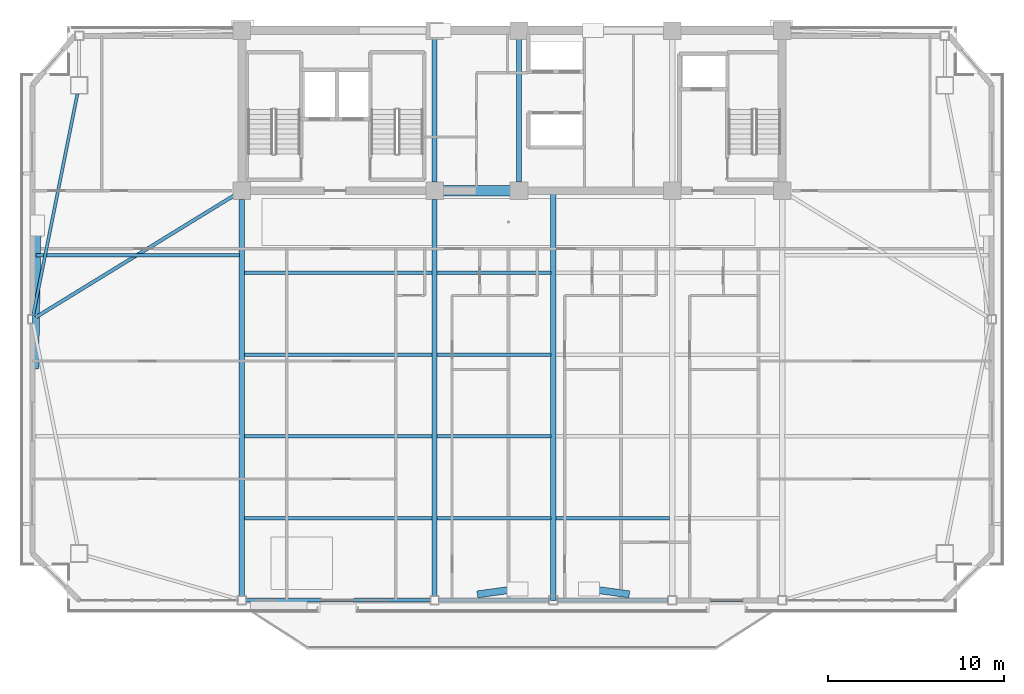
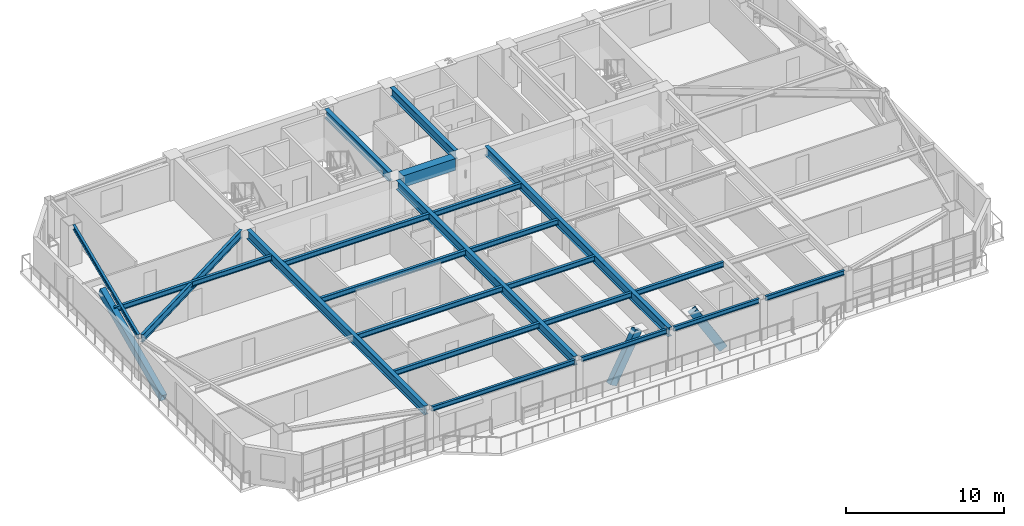
# One storey, part 3 of 19: 22 beams, 3 members.
"""IFC4 building model written with IfcOpenShell, lengths in metres."""

from ifc_helpers import new_model, si_unit, direction, frame, origin, origin_2d, place, context, subcontext, project, spatial, rectangle, hollow_rectangle, i_section, extrude, source, transform, mapped, material, material_profile, profile_set, type_object, element, save


model = new_model("IFC4")

# Units and contexts
model_context = context("Model", 3, precision=1e-05, world=origin(), true_north=direction((0.0, 1.0)))
body_context = subcontext(model_context, "Body", "Model", "MODEL_VIEW")
ifc_project = project(units=[si_unit("LENGTHUNIT", "METRE"), si_unit("AREAUNIT", "SQUARE_METRE"), si_unit("VOLUMEUNIT", "CUBIC_METRE"), si_unit("PLANEANGLEUNIT", "RADIAN"), si_unit("MASSUNIT", "GRAM", prefix="KILO")], contexts=[model_context])

# Site, building, storey
site_placement = place(None, origin())
site = spatial("IfcSite", under=ifc_project, at=site_placement, CompositionType="ELEMENT")
building_placement = place(site_placement, origin())
building = spatial("IfcBuilding", under=site, at=building_placement, Name="Giltprow Tower", CompositionType="ELEMENT")
storey_placement = place(building_placement, frame((0.0, 0.0, 241.699951171875)))
storey = spatial("IfcBuildingStorey", under=building, at=storey_placement, Name="L61", CompositionType="ELEMENT", Elevation=241.699951171875)

# Beams
ifc_material_1 = material(Name="Concrete C50", Category="concrete")
ifc_material_profile_1 = material_profile(ifc_material_1, rectangle(XDim=0.60009765625, YDim=0.89990234375, at=origin_2d()), Name="RC 900x600")
ifc_profile_set_1 = profile_set([ifc_material_profile_1], Name="Concrete C50")
beam_type_1 = type_object("IfcBeamType", Name="BM-CPL-RC900", PredefinedType="LINTEL", material=ifc_profile_set_1)
shared_shape_1 = source(origin(), body_context, "Body", "SweptSolid", [
    extrude(rectangle(XDim=0.60009765625, YDim=0.89990234375, at=origin_2d()), origin(), (0.0, 0.0, 1.0), 3.830078125),
])
beam_1_placement = place(storey_placement, frame((31.284912109375, 37.449951171875, 2.735107421875), z_axis=(1.0, 0.0, 0.0), x_axis=(0.0, 1.0, 0.0)))
element("IfcBeam", 1, at=beam_1_placement, inside=storey, type_object=beam_type_1, Name="L61 Core Coupling Beam CB-1", PredefinedType="LINTEL", context=body_context, shape_type="MappedRepresentation", body=[
    mapped(shared_shape_1, transform((0.0, 0.0, 0.0), x_axis=(1.0, 0.0, 0.0), y_axis=(0.0, 1.0, 0.0), z_axis=(0.0, 0.0, 1.0), scale=1.0)),
])
ifc_material_2 = material(Name="Structural steel Q355B", Category="steel")
ifc_material_profile_2 = material_profile(ifc_material_2, i_section(OverallWidth=0.300048828125, OverallDepth=0.699951171875, WebThickness=0.012939453125, FlangeThickness=0.02392578125, at=origin_2d()), Name="HN 700x300x13x24")
ifc_profile_set_2 = profile_set([ifc_material_profile_2], Name="Structural steel Q355B")
beam_type_2 = type_object("IfcBeamType", Name="BM-GIRD-HN700", PredefinedType="BEAM", material=ifc_profile_set_2)
shared_shape_2 = source(origin(), body_context, "Body", "SweptSolid", [
    extrude(i_section(OverallWidth=0.300048828125, OverallDepth=0.699951171875, WebThickness=0.012939453125, FlangeThickness=0.02392578125, at=origin_2d()), origin(), (0.0, 0.0, 1.0), 8.1298828125),
])
for number, where, z_axis, x_axis, name in (
    (2, (30.800048828125, 37.93505859375, 2.8349609375), (0.0, 1.0, 0.0), (-1.0, 0.0, 0.0), "L61 Core Tie Girder M1"),
    (3, (35.60009765625, 37.93505859375, 2.8349609375), (0.0, 1.0, 0.0), (-1.0, 0.0, 0.0), "L61 Core Tie Girder M2"),
):
    element("IfcBeam", number, at=place(storey_placement, frame(where, z_axis=z_axis, x_axis=x_axis)), inside=storey, type_object=beam_type_2, Name=name, PredefinedType="BEAM", context=body_context, shape_type="MappedRepresentation", body=[
        mapped(shared_shape_2, transform((0.0, 0.0, 0.0), x_axis=(1.0, 0.0, 0.0), y_axis=(0.0, 1.0, 0.0), z_axis=(0.0, 0.0, 1.0), scale=1.0)),
    ])
ifc_material_profile_3 = material_profile(ifc_material_2, i_section(OverallWidth=0.199951171875, OverallDepth=0.39990234375, WebThickness=0.008056640625, FlangeThickness=0.012939453125, at=origin_2d()), Name="HN 400x200x8x13")
ifc_profile_set_3 = profile_set([ifc_material_profile_3], Name="Structural steel Q355B")
beam_type_3 = type_object("IfcBeamType", Name="BM-JOIST-HN400", PredefinedType="JOIST", material=ifc_profile_set_3)
shared_shape_3 = source(origin(), body_context, "Body", "SweptSolid", [
    extrude(i_section(OverallWidth=0.199951171875, OverallDepth=0.39990234375, WebThickness=0.008056640625, FlangeThickness=0.012939453125, at=origin_2d()), origin(), (0.0, 0.0, 1.0), 10.659912109375),
])
for number, where, z_axis, x_axis, name in (
    (4, (19.9951171875, 18.8359375, 2.985107421875), (1.0, 0.0, 0.0), (0.0, 1.0, 0.0), "L61 Composite Floor Joist 1-1"),
    (5, (19.9951171875, 23.489013671875, 2.985107421875), (1.0, 0.0, 0.0), (0.0, 1.0, 0.0), "L61 Composite Floor Joist 2-1"),
    (6, (19.9951171875, 28.14306640625, 2.985107421875), (1.0, 0.0, 0.0), (0.0, 1.0, 0.0), "L61 Composite Floor Joist 3-1"),
    (7, (19.9951171875, 32.7958984375, 2.985107421875), (1.0, 0.0, 0.0), (0.0, 1.0, 0.0), "L61 Composite Floor Joist 4-1"),
):
    element("IfcBeam", number, at=place(storey_placement, frame(where, z_axis=z_axis, x_axis=x_axis)), inside=storey, type_object=beam_type_3, Name=name, PredefinedType="JOIST", context=body_context, shape_type="MappedRepresentation", body=[
        mapped(shared_shape_3, transform((0.0, 0.0, 0.0), x_axis=(1.0, 0.0, 0.0), y_axis=(0.0, 1.0, 0.0), z_axis=(0.0, 0.0, 1.0), scale=1.0)),
    ])
shared_shape_4 = source(origin(), body_context, "Body", "SweptSolid", [
    extrude(i_section(OverallWidth=0.199951171875, OverallDepth=0.39990234375, WebThickness=0.008056640625, FlangeThickness=0.012939453125, at=origin_2d()), origin(), (0.0, 0.0, 1.0), 6.4599609375),
])
for number, where, z_axis, x_axis, name in (
    (8, (30.945068359375, 18.8359375, 2.985107421875), (1.0, 0.0, 0.0), (0.0, 1.0, 0.0), "L61 Composite Floor Joist 1-2"),
    (9, (37.695068359375, 18.8359375, 2.985107421875), (1.0, 0.0, 0.0), (0.0, 1.0, 0.0), "L61 Composite Floor Joist 1-3"),
    (10, (30.945068359375, 23.489013671875, 2.985107421875), (1.0, 0.0, 0.0), (0.0, 1.0, 0.0), "L61 Composite Floor Joist 2-2"),
    (11, (30.945068359375, 28.14306640625, 2.985107421875), (1.0, 0.0, 0.0), (0.0, 1.0, 0.0), "L61 Composite Floor Joist 3-2"),
    (12, (30.945068359375, 32.7958984375, 2.985107421875), (1.0, 0.0, 0.0), (0.0, 1.0, 0.0), "L61 Composite Floor Joist 4-2"),
):
    element("IfcBeam", number, at=place(storey_placement, frame(where, z_axis=z_axis, x_axis=x_axis)), inside=storey, type_object=beam_type_3, Name=name, PredefinedType="JOIST", context=body_context, shape_type="MappedRepresentation", body=[
        mapped(shared_shape_4, transform((0.0, 0.0, 0.0), x_axis=(1.0, 0.0, 0.0), y_axis=(0.0, 1.0, 0.0), z_axis=(0.0, 0.0, 1.0), scale=1.0)),
    ])
shared_shape_5 = source(origin(), body_context, "Body", "SweptSolid", [
    extrude(i_section(OverallWidth=0.199951171875, OverallDepth=0.39990234375, WebThickness=0.008056640625, FlangeThickness=0.012939453125, at=origin_2d()), origin(), (0.0, 0.0, 1.0), 11.537109375),
])
beam_2_placement = place(storey_placement, frame((8.16796875, 33.7958984375, 2.985107421875), z_axis=(1.0, 0.0, 0.0), x_axis=(0.0, 1.0, 0.0)))
element("IfcBeam", 13, at=beam_2_placement, inside=storey, type_object=beam_type_3, Name="L61 West Wing Floor Joist 2", PredefinedType="JOIST", context=body_context, shape_type="MappedRepresentation", body=[
    mapped(shared_shape_5, transform((0.0, 0.0, 0.0), x_axis=(1.0, 0.0, 0.0), y_axis=(0.0, 1.0, 0.0), z_axis=(0.0, 0.0, 1.0), scale=1.0)),
])
ifc_material_profile_4 = material_profile(ifc_material_2, i_section(OverallWidth=0.175048828125, OverallDepth=0.35009765625, WebThickness=0.007080078125, FlangeThickness=0.010986328125, at=origin_2d()), Name="HN 350x175x7x11")
ifc_profile_set_4 = profile_set([ifc_material_profile_4], Name="Structural steel Q355B")
beam_type_4 = type_object("IfcBeamType", Name="BM-SPAN-HN350", PredefinedType="SPANDREL", material=ifc_profile_set_4)
shared_shape_6 = source(origin(), body_context, "Body", "SweptSolid", [
    extrude(i_section(OverallWidth=0.175048828125, OverallDepth=0.35009765625, WebThickness=0.007080078125, FlangeThickness=0.010986328125, at=origin_2d()), origin(), (0.0, 0.0, 1.0), 10.47998046875),
])
beam_3_placement = place(storey_placement, frame((20.0849609375, 14.181884765625, 3.010009765625), z_axis=(1.0, 0.0, 0.0), x_axis=(0.0, 1.0, 0.0)))
element("IfcBeam", 14, at=beam_3_placement, inside=storey, type_object=beam_type_4, Name="L61 Perimeter Spandrel Beam S1-S2", PredefinedType="SPANDREL", context=body_context, shape_type="MappedRepresentation", body=[
    mapped(shared_shape_6, transform((0.0, 0.0, 0.0), x_axis=(1.0, 0.0, 0.0), y_axis=(0.0, 1.0, 0.0), z_axis=(0.0, 0.0, 1.0), scale=1.0)),
])
shared_shape_7 = source(origin(), body_context, "Body", "SweptSolid", [
    extrude(i_section(OverallWidth=0.175048828125, OverallDepth=0.35009765625, WebThickness=0.007080078125, FlangeThickness=0.010986328125, at=origin_2d()), origin(), (0.0, 0.0, 1.0), 6.280029296875),
])
for number, where, z_axis, x_axis, name in (
    (15, (31.034912109375, 14.181884765625, 3.010009765625), (1.0, 0.0, 0.0), (0.0, 1.0, 0.0), "L61 Perimeter Spandrel Beam S2-S_MID"),
    (16, (37.784912109375, 14.181884765625, 3.010009765625), (1.0, 0.0, 0.0), (0.0, 1.0, 0.0), "L61 Perimeter Spandrel Beam S_MID-S3"),
):
    element("IfcBeam", number, at=place(storey_placement, frame(where, z_axis=z_axis, x_axis=x_axis)), inside=storey, type_object=beam_type_4, Name=name, PredefinedType="SPANDREL", context=body_context, shape_type="MappedRepresentation", body=[
        mapped(shared_shape_7, transform((0.0, 0.0, 0.0), x_axis=(1.0, 0.0, 0.0), y_axis=(0.0, 1.0, 0.0), z_axis=(0.0, 0.0, 1.0), scale=1.0)),
    ])
shared_shape_8 = source(origin(), body_context, "Body", "SweptSolid", [
    extrude(i_section(OverallWidth=0.175048828125, OverallDepth=0.35009765625, WebThickness=0.007080078125, FlangeThickness=0.010986328125, at=origin_2d()), origin(), (0.0, 0.0, 1.0), 5.780029296875),
])
beam_4_placement = place(storey_placement, frame((44.534912109375, 14.181884765625, 3.010009765625), z_axis=(1.0, 0.0, 0.0), x_axis=(0.0, 1.0, 0.0)))
element("IfcBeam", 17, at=beam_4_placement, inside=storey, type_object=beam_type_4, Name="L61 Perimeter Spandrel Beam S3-S4", PredefinedType="SPANDREL", context=body_context, shape_type="MappedRepresentation", body=[
    mapped(shared_shape_8, transform((0.0, 0.0, 0.0), x_axis=(1.0, 0.0, 0.0), y_axis=(0.0, 1.0, 0.0), z_axis=(0.0, 0.0, 1.0), scale=1.0)),
])
shared_shape_9 = source(origin(), body_context, "Body", "SweptSolid", [
    extrude(i_section(OverallWidth=0.175048828125, OverallDepth=0.35009765625, WebThickness=0.007080078125, FlangeThickness=0.010986328125, at=origin_2d()), origin(), (0.0, 0.0, 1.0), 12.841552734375),
])
beam_5_placement = place(storey_placement, frame((10.513916015625, 42.962890625, 3.010009765625), z_axis=(-0.196240441892, -0.980555806146, 0.0), x_axis=(0.980555806146, -0.196240441892, 0.0)))
element("IfcBeam", 18, at=beam_5_placement, inside=storey, type_object=beam_type_4, Name="L61 Perimeter Spandrel Beam MC_NW-W_MID", PredefinedType="SPANDREL", context=body_context, shape_type="MappedRepresentation", body=[
    mapped(shared_shape_9, transform((0.0, 0.0, 0.0), x_axis=(1.0, 0.0, 0.0), y_axis=(0.0, 1.0, 0.0), z_axis=(0.0, 0.0, 1.0), scale=1.0)),
])
ifc_material_profile_5 = material_profile(ifc_material_2, i_section(OverallWidth=0.199951171875, OverallDepth=0.60009765625, WebThickness=0.010986328125, FlangeThickness=0.01708984375, at=origin_2d()), Name="HN 600x200x11x17")
ifc_profile_set_5 = profile_set([ifc_material_profile_5], Name="Structural steel Q355B")
beam_type_5 = type_object("IfcBeamType", Name="BM-GIRD-HN600", PredefinedType="BEAM", material=ifc_profile_set_5)
shared_shape_10 = source(origin(), body_context, "Body", "SweptSolid", [
    extrude(i_section(OverallWidth=0.199951171875, OverallDepth=0.60009765625, WebThickness=0.010986328125, FlangeThickness=0.01708984375, at=origin_2d()), origin(), (0.0, 0.0, 1.0), 13.24755859375),
])
beam_6_placement = place(storey_placement, frame((8.14794921875, 30.263916015625, 2.885009765625), z_axis=(0.852162863713, 0.523276651217, 0.0), x_axis=(-0.523276651217, 0.852162863713, 0.0)))
element("IfcBeam", 19, at=beam_6_placement, inside=storey, type_object=beam_type_5, Name="L61 West Wing Primary Girder", PredefinedType="BEAM", context=body_context, shape_type="MappedRepresentation", body=[
    mapped(shared_shape_10, transform((0.0, 0.0, 0.0), x_axis=(1.0, 0.0, 0.0), y_axis=(0.0, 1.0, 0.0), z_axis=(0.0, 0.0, 1.0), scale=1.0)),
])
shared_shape_11 = source(origin(), body_context, "Body", "SweptSolid", [
    extrude(i_section(OverallWidth=0.300048828125, OverallDepth=0.699951171875, WebThickness=0.012939453125, FlangeThickness=0.02392578125, at=origin_2d()), origin(), (0.0, 0.0, 1.0), 22.548095703125),
])
for number, where, z_axis, x_axis, name in (
    (20, (19.85009765625, 14.4169921875, 2.8349609375), (0.0, 1.0, 0.0), (-1.0, 0.0, 0.0), "L61 Primary Lease Girder S1"),
    (21, (30.800048828125, 14.4169921875, 2.8349609375), (0.0, 1.0, 0.0), (-1.0, 0.0, 0.0), "L61 Primary Lease Girder S2"),
):
    element("IfcBeam", number, at=place(storey_placement, frame(where, z_axis=z_axis, x_axis=x_axis)), inside=storey, type_object=beam_type_2, Name=name, PredefinedType="BEAM", context=body_context, shape_type="MappedRepresentation", body=[
        mapped(shared_shape_11, transform((0.0, 0.0, 0.0), x_axis=(1.0, 0.0, 0.0), y_axis=(0.0, 1.0, 0.0), z_axis=(0.0, 0.0, 1.0), scale=1.0)),
    ])
shared_shape_12 = source(origin(), body_context, "Body", "SweptSolid", [
    extrude(i_section(OverallWidth=0.300048828125, OverallDepth=0.699951171875, WebThickness=0.012939453125, FlangeThickness=0.02392578125, at=origin_2d()), origin(), (0.0, 0.0, 1.0), 23.26806640625),
])
beam_7_placement = place(storey_placement, frame((37.550048828125, 14.181884765625, 2.8349609375), z_axis=(0.0, 1.0, 0.0), x_axis=(-1.0, 0.0, 0.0)))
element("IfcBeam", 22, at=beam_7_placement, inside=storey, type_object=beam_type_2, Name="L61 Central Lease Girder SMID", PredefinedType="BEAM", context=body_context, shape_type="MappedRepresentation", body=[
    mapped(shared_shape_12, transform((0.0, 0.0, 0.0), x_axis=(1.0, 0.0, 0.0), y_axis=(0.0, 1.0, 0.0), z_axis=(0.0, 0.0, 1.0), scale=1.0)),
])

# Members
ifc_material_3 = material(Name="Structural steel Q420GJC", Category="steel")
ifc_material_profile_6 = material_profile(ifc_material_3, hollow_rectangle(XDim=0.39990234375, YDim=0.60009765625, WallThickness=0.028076171875, at=origin_2d()), Name="RHS 600x400x28")
ifc_profile_set_6 = profile_set([ifc_material_profile_6], Name="Structural steel Q420GJC")
member_type = type_object("IfcMemberType", Name="MBR-MEGA-RHS600", PredefinedType="BRACE", material=ifc_profile_set_6)
shared_shape_13 = source(origin(), body_context, "Body", "SweptSolid", [
    extrude(hollow_rectangle(XDim=0.39990234375, YDim=0.60009765625, WallThickness=0.028076171875, at=origin_2d()), origin(), (0.0, 0.0, 1.0), 3.970458984375),
])
for number, where, z_axis, x_axis, name in (
    (23, (33.488037109375, 14.552978515625, 0.0), (0.511531626724, 0.07052852216, 0.856365063756), (-0.136585012765, 0.990628353263, 0.0), "L61 Chevron Mega-Brace S-L"),
    (24, (41.612060546875, 14.552978515625, 0.0), (-0.511531626724, 0.07052852216, 0.856365063756), (-0.136585012765, -0.990628353263, 0.0), "L61 Chevron Mega-Brace S-R"),
):
    element("IfcMember", number, at=place(storey_placement, frame(where, z_axis=z_axis, x_axis=x_axis)), inside=storey, type_object=member_type, Name=name, PredefinedType="BRACE", context=body_context, shape_type="MappedRepresentation", body=[
        mapped(shared_shape_13, transform((0.0, 0.0, 0.0), x_axis=(1.0, 0.0, 0.0), y_axis=(0.0, 1.0, 0.0), z_axis=(0.0, 0.0, 1.0), scale=1.0)),
    ])
shared_shape_14 = source(origin(), body_context, "Body", "SweptSolid", [
    extrude(hollow_rectangle(XDim=0.39990234375, YDim=0.60009765625, WallThickness=0.028076171875, at=origin_2d()), origin(), (0.0, 0.0, 1.0), 8.708251953125),
])
member_placement = place(storey_placement, frame((8.114013671875, 27.452880859375, 0.0), z_axis=(0.014354102589, 0.920512899204, 0.390448411622), x_axis=(-0.999878442112, 0.015591696484, 0.0)))
element("IfcMember", 25, at=member_placement, inside=storey, type_object=member_type, Name="L61 Chevron Mega-Brace W-D", PredefinedType="BRACE", context=body_context, shape_type="MappedRepresentation", body=[
    mapped(shared_shape_14, transform((0.0, 0.0, 0.0), x_axis=(1.0, 0.0, 0.0), y_axis=(0.0, 1.0, 0.0), z_axis=(0.0, 0.0, 1.0), scale=1.0)),
])

save(model, "model.ifc")
